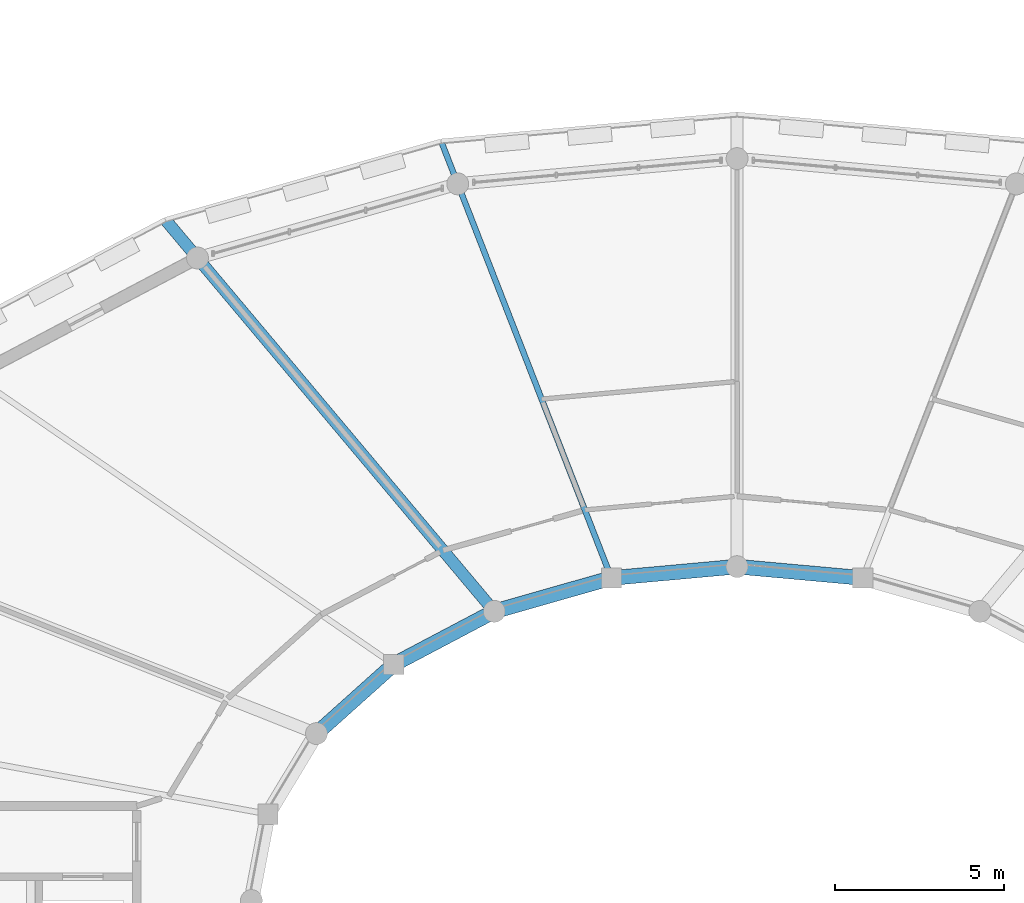
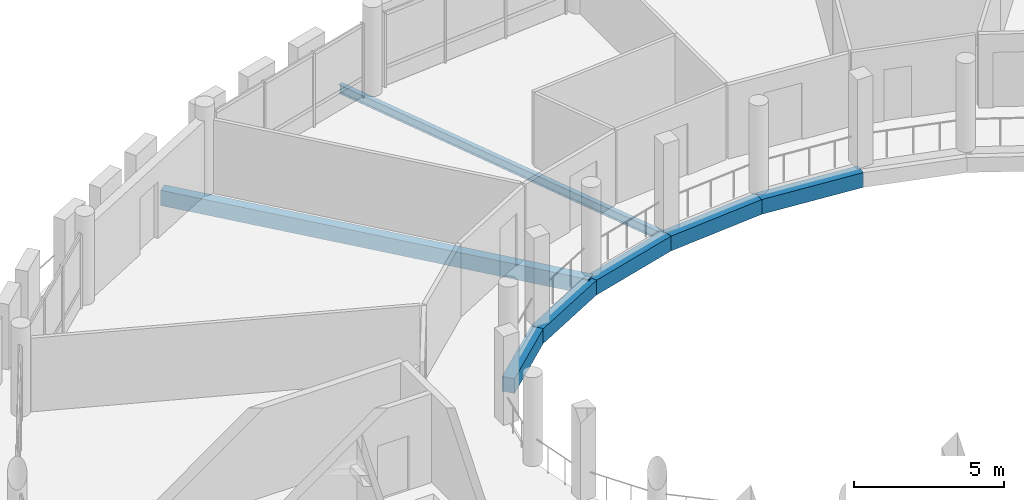
# One storey, part 42 of 93: 7 beams.
"""IFC4 building model written with IfcOpenShell, lengths in metres."""

from ifc_helpers import new_model, si_unit, direction, frame, origin, origin_2d, place, context, subcontext, project, spatial, rectangle, i_section, extrude, material, material_profile, profile_set, type_object, element, save


model = new_model("IFC4")

# Units and contexts
model_context = context("Model", 3, precision=1e-05, world=origin(), true_north=direction((0.0, 1.0)))
body_context = subcontext(model_context, "Body", "Model", "MODEL_VIEW")
ifc_project = project(units=[si_unit("LENGTHUNIT", "METRE"), si_unit("AREAUNIT", "SQUARE_METRE"), si_unit("VOLUMEUNIT", "CUBIC_METRE"), si_unit("PLANEANGLEUNIT", "RADIAN"), si_unit("MASSUNIT", "GRAM", prefix="KILO")], contexts=[model_context])

# Site, building, storey
site_placement = place(None, origin())
site = spatial("IfcSite", under=ifc_project, at=site_placement, CompositionType="ELEMENT")
building_placement = place(site_placement, origin())
building = spatial("IfcBuilding", under=site, at=building_placement, Name="Zornivar Specialist Clinic", CompositionType="ELEMENT")
storey_placement = place(building_placement, frame((0.0, 0.0, 8.39990234375)))
storey = spatial("IfcBuildingStorey", under=building, at=storey_placement, Name="L02", CompositionType="ELEMENT", Elevation=8.39990234375)

# Beams
ifc_material_1 = material(Name="Concrete C30/37", Category="concrete")
ifc_material_profile_1 = material_profile(ifc_material_1, rectangle(XDim=0.43994140625, YDim=0.60009765625, at=origin_2d()), Name="RC 440x600")
ifc_profile_set_1 = profile_set([ifc_material_profile_1], Name="Concrete C30/37")
beam_type_1 = type_object("IfcBeamType", Name="BM-RC-440x600", PredefinedType="BEAM", material=ifc_profile_set_1)
beam_1_placement = place(storey_placement, frame((97.326904296875, 67.1630859375, -0.58984375), z_axis=(-0.99593853732, 0.090035714478, 0.0), x_axis=(-0.090035714478, -0.99593853732, 0.0)))
element("IfcBeam", 1, at=beam_1_placement, inside=storey, type_object=beam_type_1, Name="bm:V1:L02:inring:05", PredefinedType="BEAM", context=body_context, shape_type="SweptSolid", body=[
    extrude(rectangle(XDim=0.43994140625, YDim=0.60009765625, at=origin_2d()), origin(), (0.0, 0.0, 1.0), 3.741943359375),
])
beam_2_placement = place(storey_placement, frame((93.60009765625, 67.5, -0.58984375), z_axis=(-0.995939066158, -0.09002986449, 0.0), x_axis=(0.09002986449, -0.995939066158, 0.0)))
element("IfcBeam", 2, at=beam_2_placement, inside=storey, type_object=beam_type_1, Name="bm:V1:L02:inring:06", PredefinedType="BEAM", context=body_context, shape_type="SweptSolid", body=[
    extrude(rectangle(XDim=0.43994140625, YDim=0.60009765625, at=origin_2d()), origin(), (0.0, 0.0, 1.0), 3.7421875),
])
beam_3_placement = place(storey_placement, frame((89.873046875, 67.1630859375, -0.58984375), z_axis=(-0.961765935349, -0.2738727544, 0.0), x_axis=(0.2738727544, -0.961765935349, 0.0)))
element("IfcBeam", 3, at=beam_3_placement, inside=storey, type_object=beam_type_1, Name="bm:V1:L02:inring:07", PredefinedType="BEAM", context=body_context, shape_type="SweptSolid", body=[
    extrude(rectangle(XDim=0.43994140625, YDim=0.60009765625, at=origin_2d()), origin(), (0.0, 0.0, 1.0), 3.611328125),
])
beam_4_placement = place(storey_placement, frame((86.39990234375, 66.174072265625, -0.58984375), z_axis=(-0.884363165653, -0.466799519319, 0.0), x_axis=(0.466799519319, -0.884363165653, 0.0)))
element("IfcBeam", 4, at=beam_4_placement, inside=storey, type_object=beam_type_1, Name="bm:V1:L02:inring:08", PredefinedType="BEAM", context=body_context, shape_type="SweptSolid", body=[
    extrude(rectangle(XDim=0.43994140625, YDim=0.60009765625, at=origin_2d()), origin(), (0.0, 0.0, 1.0), 3.371826171875),
])
beam_5_placement = place(storey_placement, frame((83.41796875, 64.60009765625, -0.58984375), z_axis=(-0.744927462836, -0.66714546773, 0.0), x_axis=(0.66714546773, -0.744927462836, 0.0)))
element("IfcBeam", 5, at=beam_5_placement, inside=storey, type_object=beam_type_1, Name="bm:V1:L02:inring:09", PredefinedType="BEAM", context=body_context, shape_type="SweptSolid", body=[
    extrude(rectangle(XDim=0.43994140625, YDim=0.60009765625, at=origin_2d()), origin(), (0.0, 0.0, 1.0), 3.07275390625),
])
ifc_material_2 = material(Name="Concrete C30/37", Category="concrete")
ifc_material_profile_2 = material_profile(ifc_material_2, rectangle(XDim=0.35009765625, YDim=0.6201171875, at=origin_2d()), Name="RC 350x620")
ifc_profile_set_2 = profile_set([ifc_material_profile_2], Name="Concrete C30/37")
beam_type_2 = type_object("IfcBeamType", Name="BM-RC-CANT-350x620", PredefinedType="BEAM", material=ifc_profile_set_2)
beam_6_placement = place(storey_placement, frame((86.39990234375, 66.174072265625, -0.5498046875), z_axis=(-0.643102291661, 0.765780283411, 0.0), x_axis=(-0.765780283411, -0.643102291661, 0.0)))
element("IfcBeam", 6, at=beam_6_placement, inside=storey, type_object=beam_type_2, Name="bm:V1:L02:radcant:08", PredefinedType="BEAM", context=body_context, shape_type="SweptSolid", body=[
    extrude(rectangle(XDim=0.35009765625, YDim=0.6201171875, at=origin_2d()), origin(), (0.0, 0.0, 1.0), 15.176513671875),
])
ifc_material_3 = material(Name="Steel S355J2", Category="steel")
ifc_material_profile_3 = material_profile(ifc_material_3, i_section(OverallWidth=0.169921875, OverallDepth=0.360107421875, WebThickness=0.008056640625, FlangeThickness=0.0126953125, FilletRadius=0.01806640625, at=origin_2d()), Name="IPE 360")
ifc_profile_set_3 = profile_set([ifc_material_profile_3], Name="Steel S355J2")
beam_type_3 = type_object("IfcBeamType", Name="BM-STL-IPE360", PredefinedType="BEAM", material=ifc_profile_set_3)
beam_7_placement = place(storey_placement, frame((89.873046875, 67.1630859375, -0.469970703125), z_axis=(-0.363149073781, 0.931731050364, 0.0), x_axis=(-0.931731050364, -0.363149073781, 0.0)))
element("IfcBeam", 7, at=beam_7_placement, inside=storey, type_object=beam_type_3, Name="bm:V1:L02:radmid:07", PredefinedType="BEAM", context=body_context, shape_type="SweptSolid", body=[
    extrude(i_section(OverallWidth=0.169921875, OverallDepth=0.360107421875, WebThickness=0.008056640625, FlangeThickness=0.0126953125, FilletRadius=0.01806640625, at=origin_2d()), origin(), (0.0, 0.0, 1.0), 13.91162109375),
])

save(model, "model.ifc")
